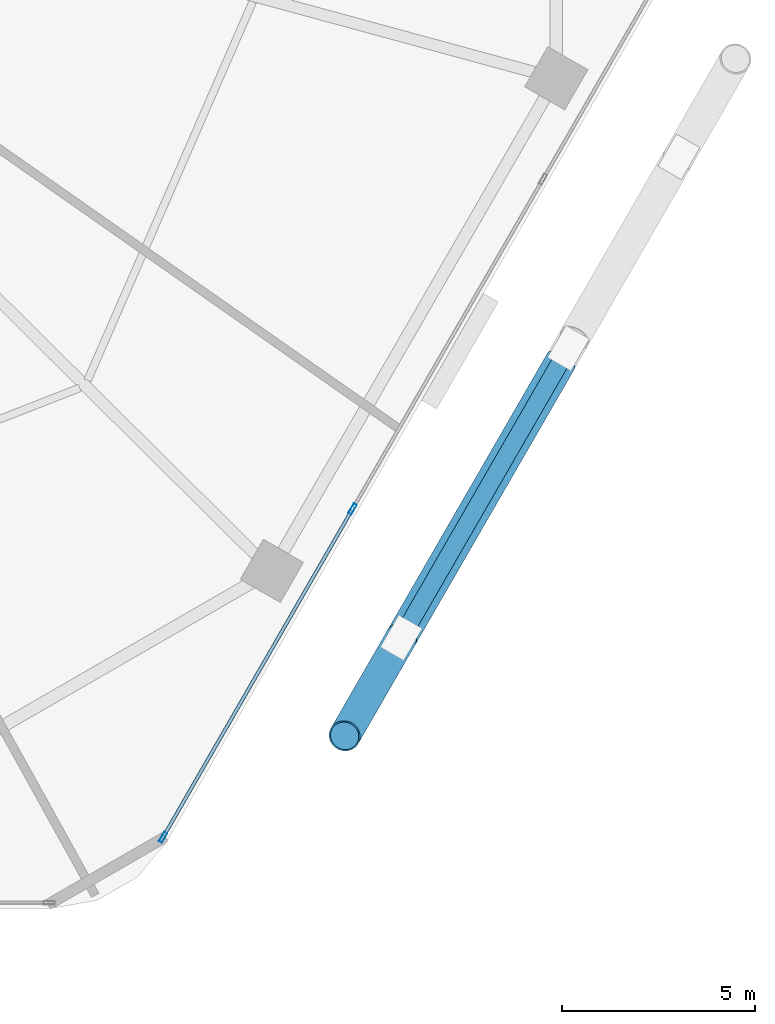
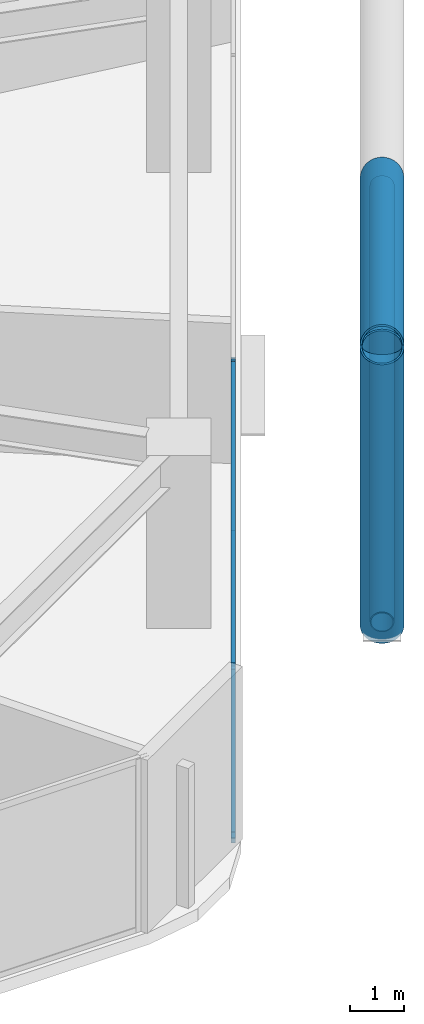
# One storey, part 9 of 30: 7 members, 1 element without a shape of its own.
"""IFC4 building model written with IfcOpenShell, lengths in metres."""

from ifc_helpers import new_model, si_unit, direction, frame, origin, origin_2d, place, context, subcontext, project, spatial, hollow_rectangle, hollow_circle, extrude, material, material_profile, profile_set, type_object, element, aggregate, save


model = new_model("IFC4")

# Units and contexts
model_context = context("Model", 3, precision=1e-05, world=origin(), true_north=direction((0.0, 1.0)))
body_context = subcontext(model_context, "Body", "Model", "MODEL_VIEW")
ifc_project = project(units=[si_unit("LENGTHUNIT", "METRE"), si_unit("AREAUNIT", "SQUARE_METRE"), si_unit("VOLUMEUNIT", "CUBIC_METRE"), si_unit("PLANEANGLEUNIT", "RADIAN"), si_unit("MASSUNIT", "GRAM", prefix="KILO")], contexts=[model_context])

# Site, building, storey
site_placement = place(None, origin())
site = spatial("IfcSite", under=ifc_project, at=site_placement, CompositionType="ELEMENT")
building_placement = place(site_placement, origin())
building = spatial("IfcBuilding", under=site, at=building_placement, Name="Zuhravey Tower", CompositionType="ELEMENT")
storey_placement = place(building_placement, frame((0.0, 0.0, 33.0)))
storey = spatial("IfcBuildingStorey", under=building, at=storey_placement, Name="L08", CompositionType="ELEMENT", Elevation=33.0)

# Curtain wall, members
ifc_material_1 = material(Name="Thermally broken anodised aluminium", Category="aluminium")
curtain_wall_type = type_object("IfcCurtainWallType", Name="School Low-E Unitised Curtain Wall CW1", PredefinedType="NOTDEFINED", material=ifc_material_1)
curtain_wall_placement = place(storey_placement, origin())
curtain_wall = element("IfcCurtainWall", 1, at=curtain_wall_placement, inside=storey, type_object=curtain_wall_type, Name="L08 CW1 CW-L08-F6-1", PredefinedType="NOTDEFINED")
ifc_material_2 = material(Name="Anodised aluminium", Category="aluminium")
ifc_material_profile_1 = material_profile(ifc_material_2, hollow_rectangle(XDim=0.090087890625, YDim=0.284912109375, WallThickness=0.0048828125, at=origin_2d()), Name="ALU-RHS-90x285x5")
ifc_profile_set_1 = profile_set([ifc_material_profile_1], Name="Anodised aluminium")
member_type_1 = type_object("IfcMemberType", Name="Curtain-Wall Mullion 90x180", PredefinedType="MULLION", material=ifc_profile_set_1)
member_1_placement = place(storey_placement, frame((58.612060546875, 13.24853515625, 0.0), z_axis=(0.0, 0.0, 1.0), x_axis=(0.86602552265, -0.499999794119, 0.0)))
member_1 = element("IfcMember", 2, at=member_1_placement, type_object=member_type_1, Name="CW1 mullion 3", PredefinedType="MULLION", context=body_context, shape_type="SweptSolid", body=[
    extrude(hollow_rectangle(XDim=0.090087890625, YDim=0.284912109375, WallThickness=0.0048828125, at=origin_2d()), origin(), (0.0, 0.0, 1.0), 3.919921875),
])
member_2_placement = place(storey_placement, frame((53.701416015625, 4.742919921875, 0.0), z_axis=(0.0, 0.0, 1.0), x_axis=(0.86602552265, -0.499999794119, 0.0)))
member_2 = element("IfcMember", 3, at=member_2_placement, type_object=member_type_1, Name="CW1 mullion 4", PredefinedType="MULLION", context=body_context, shape_type="SweptSolid", body=[
    extrude(hollow_rectangle(XDim=0.090087890625, YDim=0.284912109375, WallThickness=0.0048828125, at=origin_2d()), origin(), (0.0, 0.0, 1.0), 3.919921875),
])
ifc_material_profile_2 = material_profile(ifc_material_2, hollow_rectangle(XDim=0.090087890625, YDim=0.14990234375, WallThickness=0.0048828125, at=origin_2d()), Name="ALU-RHS-90x150x5")
ifc_profile_set_2 = profile_set([ifc_material_profile_2], Name="Anodised aluminium")
member_type_2 = type_object("IfcMemberType", Name="Curtain-Wall Transom 90x150", PredefinedType="USERDEFINED", material=ifc_profile_set_2)
member_3_placement = place(storey_placement, frame((58.589599609375, 13.20947265625, 0.044921875), z_axis=(-0.499989576763, -0.86603142156, 0.0), x_axis=(0.86603142156, -0.499989576763, 0.0)))
member_3 = element("IfcMember", 4, at=member_3_placement, type_object=member_type_2, Name="CW1 transom 3.1", ObjectType="TRANSOM", PredefinedType="USERDEFINED", context=body_context, shape_type="SweptSolid", body=[
    extrude(hollow_rectangle(XDim=0.090087890625, YDim=0.14990234375, WallThickness=0.0048828125, at=origin_2d()), origin(), (0.0, 0.0, 1.0), 9.731201171875),
])
member_4_placement = place(storey_placement, frame((58.589599609375, 13.20947265625, 3.875), z_axis=(-0.499989576763, -0.86603142156, 0.0), x_axis=(0.86603142156, -0.499989576763, 0.0)))
member_4 = element("IfcMember", 5, at=member_4_placement, type_object=member_type_2, Name="CW1 transom 3.2", ObjectType="TRANSOM", PredefinedType="USERDEFINED", context=body_context, shape_type="SweptSolid", body=[
    extrude(hollow_rectangle(XDim=0.090087890625, YDim=0.14990234375, WallThickness=0.0048828125, at=origin_2d()), origin(), (0.0, 0.0, 1.0), 9.731201171875),
])
aggregate(curtain_wall, [member_1, member_2, member_3, member_4])

# Members
ifc_material_3 = material(Name="Steel SM355", Category="steel")
ifc_material_profile_3 = material_profile(ifc_material_3, hollow_circle(Radius=0.228515625, WallThickness=0.02197265625, at=origin_2d()), Name="CHS-457.2x22")
ifc_profile_set_3 = profile_set([ifc_material_profile_3], Name="Steel SM355")
member_type_3 = type_object("IfcMemberType", Name="Exoskeleton Ring Tie CHS457x22", PredefinedType="CHORD", material=ifc_profile_set_3)
member_5_placement = place(storey_placement, frame((59.942138671875, 10.031982421875, -0.493896484375), z_axis=(0.499995593262, 0.866027948001, 0.0), x_axis=(-0.866027948001, 0.499995593262, 0.0)))
element("IfcMember", 6, at=member_5_placement, inside=storey, type_object=member_type_3, Name="L08 Exoskeleton Face 6 Tie EXR1", PredefinedType="CHORD", context=body_context, shape_type="SweptSolid", body=[
    extrude(hollow_circle(Radius=0.228515625, WallThickness=0.02197265625, at=origin_2d()), origin(), (0.0, 0.0, 1.0), 14.107666015625),
])
ifc_material_4 = material(Name="Steel SM460", Category="steel")
ifc_material_profile_4 = material_profile(ifc_material_4, hollow_circle(Radius=0.406494140625, WallThickness=0.035888671875, at=origin_2d()), Name="CHS-812.8x36")
ifc_profile_set_4 = profile_set([ifc_material_profile_4], Name="Steel SM460")
member_type_4 = type_object("IfcMemberType", Name="Exoskeleton Zone 1 Diagrid CHS813x36", PredefinedType="BRACE", material=ifc_profile_set_4)
member_6_placement = place(storey_placement, frame((59.8681640625, 9.904052734375, -0.471923828125), z_axis=(-0.165307317227, -0.286358046605, 0.943754501984), x_axis=(0.866053660865, -0.499951054106, 0.0)))
element("IfcMember", 7, at=member_6_placement, inside=storey, type_object=member_type_4, Name="L08 Face 6 Diagrid Brace 1", PredefinedType="BRACE", context=body_context, shape_type="SweptSolid", body=[
    extrude(hollow_circle(Radius=0.406494140625, WallThickness=0.035888671875, at=origin_2d()), origin(), (0.0, 0.0, 1.0), 8.85400390625),
])
member_7_placement = place(storey_placement, frame((64.018310546875, 17.09228515625, 3.8408203125), z_axis=(-0.470165522703, -0.814361240323, 0.340235435427), x_axis=(0.866028239721, -0.499995087982, 0.0)))
element("IfcMember", 8, at=member_7_placement, inside=storey, type_object=member_type_4, Name="L08 Face 6 Split Diagrid Brace 3B", PredefinedType="BRACE", context=body_context, shape_type="SweptSolid", body=[
    extrude(hollow_circle(Radius=0.406494140625, WallThickness=0.035888671875, at=origin_2d()), origin(), (0.0, 0.0, 1.0), 11.89794921875),
])

save(model, "model.ifc")
